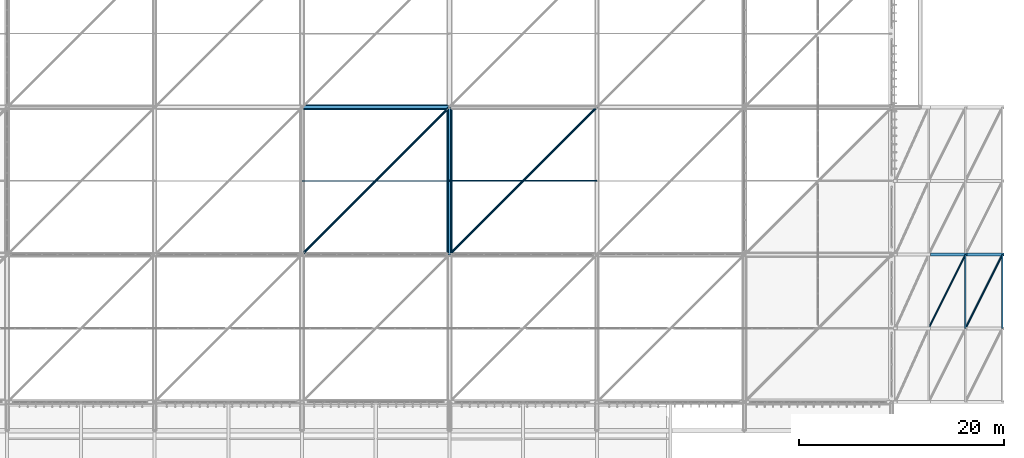
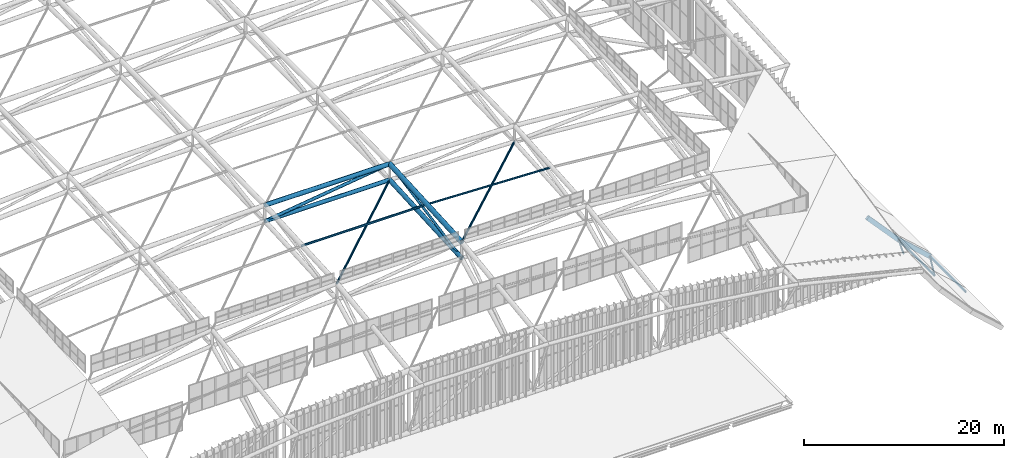
# One storey, part 131 of 397: 10 members, 6 beams.
"""IFC4 building model written with IfcOpenShell, lengths in metres."""

from ifc_helpers import new_model, si_unit, direction, frame, origin, origin_2d, place, context, subcontext, project, spatial, hollow_rectangle, hollow_circle, i_section, extrude, material, material_profile, profile_set, type_object, element, save


model = new_model("IFC4")

# Units and contexts
model_context = context("Model", 3, precision=1e-05, world=origin(), true_north=direction((0.0, 1.0)))
body_context = subcontext(model_context, "Body", "Model", "MODEL_VIEW")
ifc_project = project(units=[si_unit("LENGTHUNIT", "METRE"), si_unit("AREAUNIT", "SQUARE_METRE"), si_unit("VOLUMEUNIT", "CUBIC_METRE"), si_unit("PLANEANGLEUNIT", "RADIAN"), si_unit("MASSUNIT", "GRAM", prefix="KILO")], contexts=[model_context])

# Site, building, storey
site_placement = place(None, origin())
site = spatial("IfcSite", under=ifc_project, at=site_placement, CompositionType="ELEMENT")
building_placement = place(site_placement, origin())
building = spatial("IfcBuilding", under=site, at=building_placement, Name="Qandorah Velis Arena", CompositionType="ELEMENT")
storey_placement = place(building_placement, frame((0.0, 0.0, 27.5)))
storey = spatial("IfcBuildingStorey", under=building, at=storey_placement, Name="RF", CompositionType="ELEMENT", Elevation=27.5)

# Beams
ifc_material = material(Name="Steel S355", Category="steel")
ifc_material_profile_1 = material_profile(ifc_material, hollow_rectangle(XDim=0.300048828125, YDim=0.5, WallThickness=0.02001953125, at=origin_2d()), Name="RHS 500x300x20")
ifc_profile_set_1 = profile_set([ifc_material_profile_1], Name="Steel S355")
beam_type_1 = type_object("IfcBeamType", Name="STR-CRB-RHS500", PredefinedType="USERDEFINED", material=ifc_profile_set_1)
beam_1_placement = place(storey_placement, frame((118.800048828125, 28.800048828125, -3.84130859375), z_axis=(0.673388510151, 0.0, -0.739288789578), x_axis=(0.0, 1.0, 0.0)))
element("IfcBeam", 1, at=beam_1_placement, inside=storey, type_object=beam_type_1, Name="Sweeping canopy rib CRB-3.02", ObjectType="ROOF TRUSS", PredefinedType="USERDEFINED", context=body_context, shape_type="SweptSolid", body=[
    extrude(hollow_rectangle(XDim=0.300048828125, YDim=0.5, WallThickness=0.02001953125, at=origin_2d()), origin(), (0.0, 0.0, 1.0), 5.345947265625),
])
beam_2_placement = place(storey_placement, frame((122.39990234375, 28.800048828125, -7.79345703125), z_axis=(0.741976678185, 0.0, -0.6704256924), x_axis=(0.0, 1.0, 0.0)))
element("IfcBeam", 2, at=beam_2_placement, inside=storey, type_object=beam_type_1, Name="Sweeping canopy rib CRB-3.03", ObjectType="ROOF TRUSS", PredefinedType="USERDEFINED", context=body_context, shape_type="SweptSolid", body=[
    extrude(hollow_rectangle(XDim=0.300048828125, YDim=0.5, WallThickness=0.02001953125, at=origin_2d()), origin(), (0.0, 0.0, 1.0), 4.85205078125),
])

# Members
ifc_material_profile_2 = material_profile(ifc_material, i_section(OverallWidth=0.10009765625, OverallDepth=0.199951171875, WebThickness=0.005615234375, FlangeThickness=0.008544921875, FilletRadius=0.011962890625, at=origin_2d()), Name="IPE 200")
ifc_profile_set_2 = profile_set([ifc_material_profile_2], Name="Steel S355")
member_type_1 = type_object("IfcMemberType", Name="STR-PRL-IPE200", PredefinedType="PURLIN", material=ifc_profile_set_2)
member_1_placement = place(storey_placement, frame((72.0, 36.0, 9.748291015625), z_axis=(0.999411740861, 0.0, -0.03429536746), x_axis=(0.0, 1.0, 0.0)))
element("IfcMember", 3, at=member_1_placement, inside=storey, type_object=member_type_1, Name="Arena roof purlin PRL-4.1", PredefinedType="PURLIN", context=body_context, shape_type="SweptSolid", body=[
    extrude(i_section(OverallWidth=0.10009765625, OverallDepth=0.199951171875, WebThickness=0.005615234375, FlangeThickness=0.008544921875, FilletRadius=0.011962890625, at=origin_2d()), origin(), (0.0, 0.0, 1.0), 14.408447265625),
])
ifc_material_profile_3 = material_profile(ifc_material, i_section(OverallWidth=0.1201171875, OverallDepth=0.239990234375, WebThickness=0.006103515625, FlangeThickness=0.009765625, FilletRadius=0.014892578125, at=origin_2d()), Name="IPE 240")
ifc_profile_set_3 = profile_set([ifc_material_profile_3], Name="Steel S355")
member_type_2 = type_object("IfcMemberType", Name="STR-PRL-IPE240", PredefinedType="PURLIN", material=ifc_profile_set_3)
member_2_placement = place(storey_placement, frame((57.60009765625, 36.0, 9.748291015625), z_axis=(1.0, 0.0, 0.0), x_axis=(0.0, 1.0, 0.0)))
element("IfcMember", 4, at=member_2_placement, inside=storey, type_object=member_type_2, Name="Arena roof purlin PRL-3.1", PredefinedType="PURLIN", context=body_context, shape_type="SweptSolid", body=[
    extrude(i_section(OverallWidth=0.1201171875, OverallDepth=0.239990234375, WebThickness=0.006103515625, FlangeThickness=0.009765625, FilletRadius=0.014892578125, at=origin_2d()), origin(), (0.0, 0.0, 1.0), 14.39990234375),
])
ifc_material_profile_4 = material_profile(ifc_material, hollow_rectangle(XDim=0.14990234375, YDim=0.25, WallThickness=0.010009765625, at=origin_2d()), Name="RHS 250x150x10")
ifc_profile_set_4 = profile_set([ifc_material_profile_4], Name="Steel S355")
member_type_3 = type_object("IfcMemberType", Name="STR-PRL-RHS250", PredefinedType="PURLIN", material=ifc_profile_set_4)
for number, where, z_axis, x_axis, name in (
    (5, (122.39990234375, 21.60009765625, -7.79345703125), (0.0, 1.0, 0.0), (-1.0, 0.0, 0.0), "Canopy cross purlin CPR-2.02"),
    (6, (126.0, 21.60009765625, -11.04638671875), (0.0, 1.0, 0.0), (-1.0, 0.0, 0.0), "Canopy cross purlin CPR-2.03"),
):
    element("IfcMember", number, at=place(storey_placement, frame(where, z_axis=z_axis, x_axis=x_axis)), inside=storey, type_object=member_type_3, Name=name, PredefinedType="PURLIN", context=body_context, shape_type="SweptSolid", body=[
        extrude(hollow_rectangle(XDim=0.14990234375, YDim=0.25, WallThickness=0.010009765625, at=origin_2d()), origin(), (0.0, 0.0, 1.0), 7.199951171875),
    ])

# Beams
ifc_material_profile_5 = material_profile(ifc_material, hollow_circle(Radius=0.228515625, WallThickness=0.01611328125, at=origin_2d()), Name="CHS 457x16")
ifc_profile_set_5 = profile_set([ifc_material_profile_5], Name="Steel S355")
beam_type_2 = type_object("IfcBeamType", Name="STR-SFC-CHS457X16", PredefinedType="USERDEFINED", material=ifc_profile_set_5)
beam_3_placement = place(storey_placement, frame((57.60009765625, 43.199951171875, 8.42333984375), z_axis=(1.0, 0.0, 0.0), x_axis=(0.0, 1.0, 0.0)))
element("IfcBeam", 7, at=beam_3_placement, inside=storey, type_object=beam_type_2, Name="Space frame roof truss bottom chord X 3.2", ObjectType="ROOF TRUSS", PredefinedType="USERDEFINED", context=body_context, shape_type="SweptSolid", body=[
    extrude(hollow_circle(Radius=0.228515625, WallThickness=0.01611328125, at=origin_2d()), origin(), (0.0, 0.0, 1.0), 14.39990234375),
])
ifc_material_profile_6 = material_profile(ifc_material, hollow_circle(Radius=0.25390625, WallThickness=0.02001953125, at=origin_2d()), Name="CHS 508x20")
ifc_profile_set_6 = profile_set([ifc_material_profile_6], Name="Steel S355")
beam_type_3 = type_object("IfcBeamType", Name="STR-SFC-CHS508X20", PredefinedType="USERDEFINED", material=ifc_profile_set_6)
beam_4_placement = place(storey_placement, frame((57.60009765625, 43.199951171875, 10.373291015625), z_axis=(1.0, 0.0, 0.0), x_axis=(0.0, 1.0, 0.0)))
element("IfcBeam", 8, at=beam_4_placement, inside=storey, type_object=beam_type_3, Name="Space frame roof truss top chord X 3.2", ObjectType="ROOF TRUSS", PredefinedType="USERDEFINED", context=body_context, shape_type="SweptSolid", body=[
    extrude(hollow_circle(Radius=0.25390625, WallThickness=0.02001953125, at=origin_2d()), origin(), (0.0, 0.0, 1.0), 14.39990234375),
])
ifc_material_profile_7 = material_profile(ifc_material, hollow_circle(Radius=0.25390625, WallThickness=0.02490234375, at=origin_2d()), Name="CHS 508x25")
ifc_profile_set_7 = profile_set([ifc_material_profile_7], Name="Steel S355")
beam_type_4 = type_object("IfcBeamType", Name="STR-SFC-CHS508X25", PredefinedType="USERDEFINED", material=ifc_profile_set_7)
beam_5_placement = place(storey_placement, frame((72.0, 28.800048828125, 7.61328125), z_axis=(0.0, 0.998421463945, 0.056165650832), x_axis=(-1.0, 0.0, 0.0)))
element("IfcBeam", 9, at=beam_5_placement, inside=storey, type_object=beam_type_4, Name="Space frame roof truss bottom chord Y 4.1", ObjectType="ROOF TRUSS", PredefinedType="USERDEFINED", context=body_context, shape_type="SweptSolid", body=[
    extrude(hollow_circle(Radius=0.25390625, WallThickness=0.02490234375, at=origin_2d()), origin(), (0.0, 0.0, 1.0), 14.422607421875),
])
ifc_material_profile_8 = material_profile(ifc_material, hollow_circle(Radius=0.279541015625, WallThickness=0.02490234375, at=origin_2d()), Name="CHS 559x25")
ifc_profile_set_8 = profile_set([ifc_material_profile_8], Name="Steel S355")
beam_type_5 = type_object("IfcBeamType", Name="STR-SFC-CHS559X25", PredefinedType="USERDEFINED", material=ifc_profile_set_8)
beam_6_placement = place(storey_placement, frame((72.0, 28.800048828125, 9.563232421875), z_axis=(0.0, 0.998421463945, 0.056165650832), x_axis=(-1.0, 0.0, 0.0)))
element("IfcBeam", 10, at=beam_6_placement, inside=storey, type_object=beam_type_5, Name="Space frame roof truss top chord Y 4.1", ObjectType="ROOF TRUSS", PredefinedType="USERDEFINED", context=body_context, shape_type="SweptSolid", body=[
    extrude(hollow_circle(Radius=0.279541015625, WallThickness=0.02490234375, at=origin_2d()), origin(), (0.0, 0.0, 1.0), 14.422607421875),
])

# Members
ifc_material_profile_9 = material_profile(ifc_material, hollow_circle(Radius=0.096923828125, WallThickness=0.010009765625, at=origin_2d()), Name="CHS 193.7x10")
ifc_profile_set_9 = profile_set([ifc_material_profile_9], Name="Steel S355")
member_type_4 = type_object("IfcMemberType", Name="STR-SFD-CHS193X10", PredefinedType="STRUT", material=ifc_profile_set_9)
member_3_placement = place(storey_placement, frame((118.800048828125, 21.60009765625, -3.84130859375), z_axis=(0.40142919304, 0.802885610847, -0.440714532175), x_axis=(-0.894433256723, 0.447201463849, 0.0)))
element("IfcMember", 11, at=member_3_placement, inside=storey, type_object=member_type_4, Name="Canopy roof plane diagonal CDG-2.02", PredefinedType="STRUT", context=body_context, shape_type="SweptSolid", body=[
    extrude(hollow_circle(Radius=0.096923828125, WallThickness=0.010009765625, at=origin_2d()), origin(), (0.0, 0.0, 1.0), 8.967529296875),
])
member_4_placement = place(storey_placement, frame((122.39990234375, 21.60009765625, -7.79345703125), z_axis=(0.414650072351, 0.829272025208, -0.37466415055), x_axis=(-0.894421125195, 0.447225726904, 0.0)))
element("IfcMember", 12, at=member_4_placement, inside=storey, type_object=member_type_4, Name="Canopy roof plane diagonal CDG-2.03", PredefinedType="STRUT", context=body_context, shape_type="SweptSolid", body=[
    extrude(hollow_circle(Radius=0.096923828125, WallThickness=0.010009765625, at=origin_2d()), origin(), (0.0, 0.0, 1.0), 8.682373046875),
])
ifc_material_profile_10 = material_profile(ifc_material, hollow_circle(Radius=0.122314453125, WallThickness=0.012451171875, at=origin_2d()), Name="CHS 244.5x12.5")
ifc_profile_set_10 = profile_set([ifc_material_profile_10], Name="Steel S355")
member_type_5 = type_object("IfcMemberType", Name="STR-SFD-CHS244X12", PredefinedType="STRUT", material=ifc_profile_set_10)
member_5_placement = place(storey_placement, frame((72.0, 43.199951171875, 8.42333984375), z_axis=(-0.706001647785, -0.706001647785, 0.055886909456), x_axis=(0.707106781187, -0.707106781187, 0.0)))
element("IfcMember", 13, at=member_5_placement, inside=storey, type_object=member_type_5, Name="Space frame roof spatial diagonal 3.1", PredefinedType="STRUT", context=body_context, shape_type="SweptSolid", body=[
    extrude(hollow_circle(Radius=0.122314453125, WallThickness=0.012451171875, at=origin_2d()), origin(), (0.0, 0.0, 1.0), 20.396484375),
])
member_6_placement = place(storey_placement, frame((86.39990234375, 43.199951171875, 8.038818359375), z_axis=(-0.705133943685, -0.705133943685, 0.074647457603), x_axis=(0.707106781187, -0.707106781187, 0.0)))
element("IfcMember", 14, at=member_6_placement, inside=storey, type_object=member_type_5, Name="Space frame roof spatial diagonal 4.1", PredefinedType="STRUT", context=body_context, shape_type="SweptSolid", body=[
    extrude(hollow_circle(Radius=0.122314453125, WallThickness=0.012451171875, at=origin_2d()), origin(), (0.0, 0.0, 1.0), 20.421630859375),
])
ifc_material_profile_11 = material_profile(ifc_material, hollow_circle(Radius=0.136474609375, WallThickness=0.010009765625, at=origin_2d()), Name="CHS 273x10")
ifc_profile_set_11 = profile_set([ifc_material_profile_11], Name="Steel S355")
member_type_6 = type_object("IfcMemberType", Name="STR-SFD-CHS273X10", PredefinedType="STRUT", material=ifc_profile_set_11)
member_7_placement = place(storey_placement, frame((72.0, 28.800048828125, 7.61328125), z_axis=(0.0, 0.982122652779, 0.188242117759), x_axis=(-1.0, 0.0, 0.0)))
element("IfcMember", 15, at=member_7_placement, inside=storey, type_object=member_type_6, Name="Space frame roof diagonal Y 4.1", PredefinedType="STRUT", context=body_context, shape_type="SweptSolid", body=[
    extrude(hollow_circle(Radius=0.136474609375, WallThickness=0.010009765625, at=origin_2d()), origin(), (0.0, 0.0, 1.0), 14.662109375),
])
ifc_material_profile_12 = material_profile(ifc_material, hollow_circle(Radius=0.177734375, WallThickness=0.012451171875, at=origin_2d()), Name="CHS 355.6x12.5")
ifc_profile_set_12 = profile_set([ifc_material_profile_12], Name="Steel S355")
member_type_7 = type_object("IfcMemberType", Name="STR-SFD-CHS355X12", PredefinedType="STRUT", material=ifc_profile_set_12)
member_8_placement = place(storey_placement, frame((57.60009765625, 43.199951171875, 8.42333984375), z_axis=(0.990955693773, 0.0, 0.134189466721), x_axis=(0.0, 1.0, 0.0)))
element("IfcMember", 16, at=member_8_placement, inside=storey, type_object=member_type_7, Name="Space frame roof diagonal X 3.2", PredefinedType="STRUT", context=body_context, shape_type="SweptSolid", body=[
    extrude(hollow_circle(Radius=0.177734375, WallThickness=0.012451171875, at=origin_2d()), origin(), (0.0, 0.0, 1.0), 14.53125),
])

save(model, "model.ifc")
